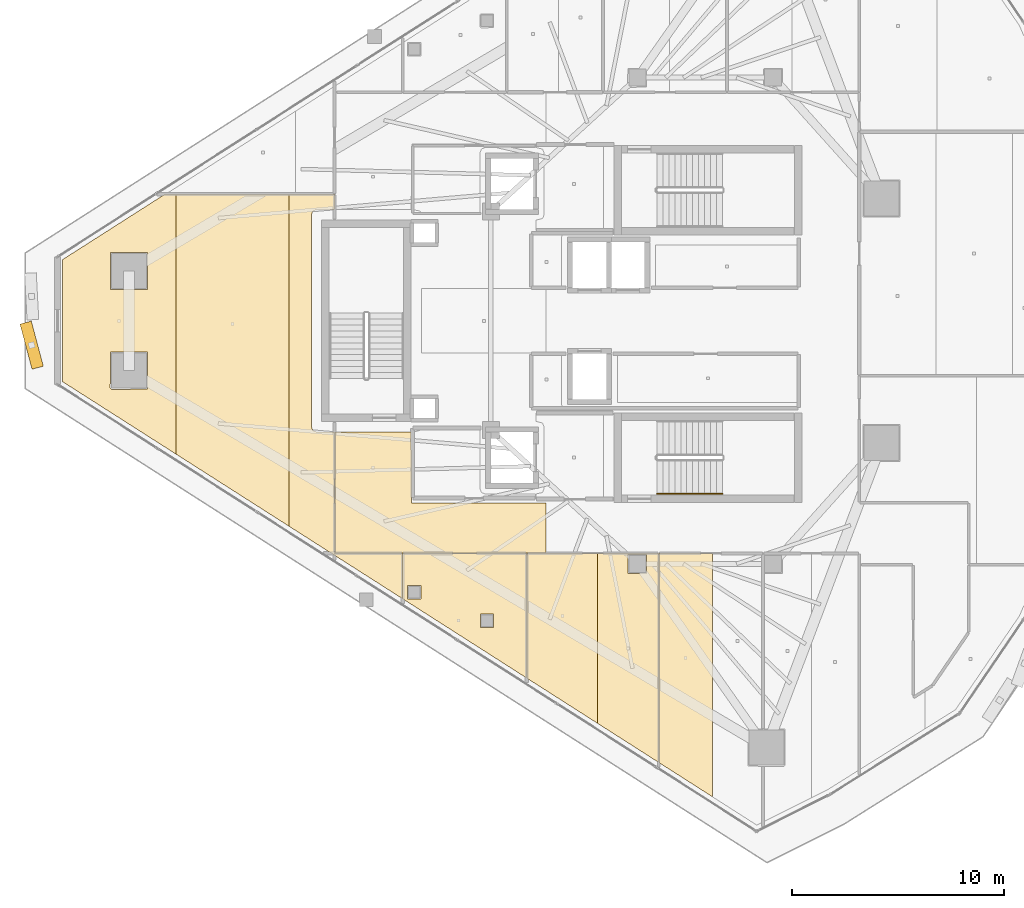
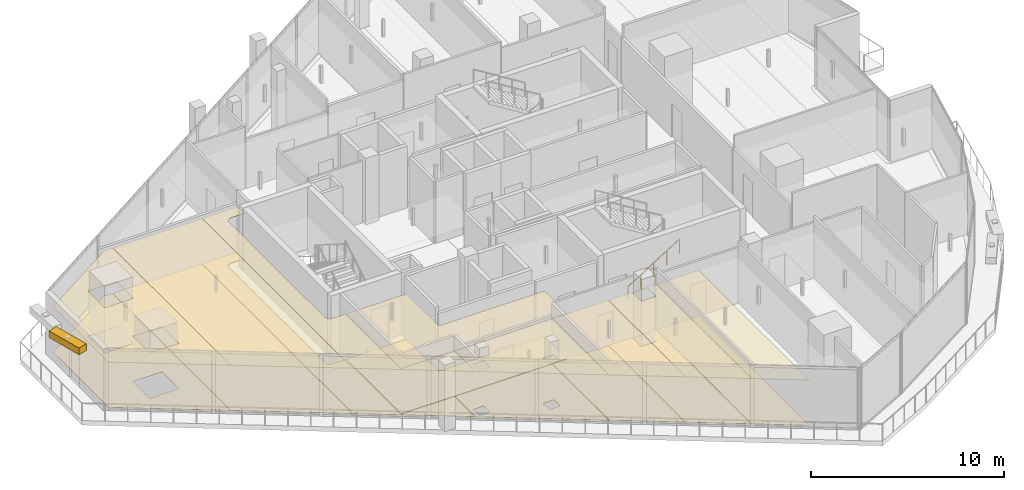
# One storey, part 31 of 36: 16 coverings, 1 railing, 1 shading device.
"""IFC4 building model written with IfcOpenShell, lengths in metres."""

import ifcopenshell
import ifcopenshell.guid

model = None  # the IFC model being written
_history = None  # IfcOwnerHistory: only IFC2X3 demands one
_inside = {}  # id of a spatial element -> (the spatial element, [elements in it])
_under = {}  # id of a project, library or spatial element -> (it, [spatial elements below it])
_declared = {}  # id of a project -> (the project, [libraries it declares])
_typed = {}  # id of a type object -> (the type object, [elements of that type])
_made_of = {}  # id of a material, layer set ... -> (it, [elements and type objects made of it])


def new_model(schema):
    """Start an empty IFC model of exactly this schema.

    Asked for "IFC4X3", IfcOpenShell would pick the latest addendum, in which some entities
    have other attributes; the version numbers below select the first issue.
    IFC2X3 requires an IfcOwnerHistory on every rooted entity: one is made here for all.
    """
    global model, _history
    if schema == "IFC4X3":
        model = ifcopenshell.file(schema_version=(4, 3, 0, 0))
    else:
        model = ifcopenshell.file(schema=schema)
    _inside.clear()
    _under.clear()
    _declared.clear()
    _typed.clear()
    _made_of.clear()
    _history = None
    if model.schema == "IFC2X3":
        org = make("IfcOrganization", Name="unknown")
        user = make(
            "IfcPersonAndOrganization",
            ThePerson=make("IfcPerson", FamilyName="unknown"),
            TheOrganization=org,
        )
        app = make(
            "IfcApplication",
            ApplicationDeveloper=org,
            Version="unknown",
            ApplicationFullName="unknown",
            ApplicationIdentifier="unknown",
        )
        _history = make(
            "IfcOwnerHistory",
            OwningUser=user,
            OwningApplication=app,
            ChangeAction="ADDED",
            CreationDate=0,
        )
    return model


def make(cls, **values):
    """One entity of the class cls with the attributes given. An attribute that is None is left unset."""
    return model.create_entity(
        cls, **{name: value for name, value in values.items() if value is not None}
    )


def rooted(cls, **values):
    """An entity with a GlobalId (a new one), such as an element, a storey or a relation."""
    return make(cls, GlobalId=ifcopenshell.guid.new(), OwnerHistory=_history, **values)


def si_unit(unit_type, name, prefix=None):
    """IfcSIUnit, for example si_unit("LENGTHUNIT", "METRE", prefix="MILLI")."""
    return make("IfcSIUnit", UnitType=unit_type, Prefix=prefix, Name=name)


def assignment(units):
    """IfcUnitAssignment: the units of a project."""
    return None if units is None else make("IfcUnitAssignment", Units=units)


def point(xyz):
    """IfcCartesianPoint."""
    return None if xyz is None else make("IfcCartesianPoint", Coordinates=xyz)


def direction(xyz):
    """IfcDirection."""
    return None if xyz is None else make("IfcDirection", DirectionRatios=xyz)


def frame(location, z_axis=None, x_axis=None):
    """IfcAxis2Placement3D, a coordinate frame: its origin and axes. An axis left out is left unset."""
    return make(
        "IfcAxis2Placement3D",
        Location=point(location),
        Axis=direction(z_axis),
        RefDirection=direction(x_axis),
    )


def frame_2d(location, x_axis=None):
    """IfcAxis2Placement2D, a coordinate frame in the plane: its origin and x axis."""
    return make(
        "IfcAxis2Placement2D", Location=point(location), RefDirection=direction(x_axis)
    )


def origin():
    """The frame at (0, 0, 0) with its axes left unset."""
    return frame((0.0, 0.0, 0.0))


def origin_2d():
    """The frame at (0, 0) in the plane with its x axis left unset."""
    return frame_2d((0.0, 0.0))


def place(relative_to, where):
    """IfcLocalPlacement: puts the frame where relative to a parent placement (None: the world)."""
    return make(
        "IfcLocalPlacement", PlacementRelTo=relative_to, RelativePlacement=where
    )


def context(
    kind, dimensions, precision=None, world=None, true_north=None, identifier=None
):
    """IfcGeometricRepresentationContext, for example the 3D "Model" context."""
    return make(
        "IfcGeometricRepresentationContext",
        ContextIdentifier=identifier,
        ContextType=kind,
        CoordinateSpaceDimension=dimensions,
        Precision=precision,
        WorldCoordinateSystem=world,
        TrueNorth=true_north,
    )


def subcontext(parent, identifier, kind, view, scale=None):
    """IfcGeometricRepresentationSubContext, for example "Body" below "Model"."""
    return make(
        "IfcGeometricRepresentationSubContext",
        ContextIdentifier=identifier,
        ContextType=kind,
        ParentContext=parent,
        TargetScale=scale,
        TargetView=view,
    )


def project(units=None, contexts=None):
    """IfcProject with its units and contexts."""
    return rooted(
        "IfcProject",
        Name="project",
        RepresentationContexts=contexts,
        UnitsInContext=assignment(units),
    )


def spatial(cls, under=None, at=None, **own):
    """A site, building, storey or space (cls), placed at a placement, below another one or the project."""
    s = rooted(cls, ObjectPlacement=at, **own)
    if under is not None:
        _under.setdefault(under.id(), (under, []))[1].append(s)
    return s


def polyline(points):
    """IfcPolyline through the points."""
    return make("IfcPolyline", Points=[point(p) for p in points])


def profile(cls, at=None, kind="AREA", **sizes):
    """A parametric profile (cls). Its sizes go by their IFC names, for example OverallWidth=200.0."""
    return make(cls, ProfileType=kind, Position=at, **sizes)


def rectangle(**sizes):
    """IfcRectangleProfileDef."""
    return profile("IfcRectangleProfileDef", **sizes)


def circle(**sizes):
    """IfcCircleProfileDef."""
    return profile("IfcCircleProfileDef", **sizes)


def outline(outer, holes=None, kind="AREA"):
    """IfcArbitraryClosedProfileDef: a profile drawn as a closed curve; with holes, ...WithVoids."""
    if holes is None:
        return make("IfcArbitraryClosedProfileDef", ProfileType=kind, OuterCurve=outer)
    return make(
        "IfcArbitraryProfileDefWithVoids",
        ProfileType=kind,
        OuterCurve=outer,
        InnerCurves=holes,
    )


def extrude(swept, where, along, depth):
    """IfcExtrudedAreaSolid: the profile swept, set in the frame where, extruded along a direction by depth."""
    return make(
        "IfcExtrudedAreaSolid",
        SweptArea=swept,
        Position=where,
        ExtrudedDirection=direction(along),
        Depth=depth,
    )


def shape(context_of_items, identifier, shape_type, items):
    """IfcShapeRepresentation: the items that make up one representation, for example the "Body"."""
    return make(
        "IfcShapeRepresentation",
        ContextOfItems=context_of_items,
        RepresentationIdentifier=identifier,
        RepresentationType=shape_type,
        Items=items,
    )


def material(Name=None, Category=None):
    """IfcMaterial."""
    return make("IfcMaterial", Name=Name, Category=Category)


def layer(
    of_material, thickness, ventilated=None, Name=None, Category=None, Priority=None
):
    """IfcMaterialLayer: one layer of a wall or slab, of a material (None: an air gap)."""
    return make(
        "IfcMaterialLayer",
        Material=of_material,
        LayerThickness=thickness,
        IsVentilated=ventilated,
        Name=Name,
        Category=Category,
        Priority=Priority,
    )


def layer_set(layers, Name=None):
    """IfcMaterialLayerSet."""
    return make("IfcMaterialLayerSet", MaterialLayers=layers, LayerSetName=Name)


def made_of(thing, what):
    """Note that an element or type object is made of a material, layer set ...; save() writes the relation."""
    if what is not None:
        _made_of.setdefault(what.id(), (what, []))[1].append(thing)
    return thing


def type_object(cls, material=None, **own):
    """A type object (cls), such as IfcWallType, which elements share."""
    return made_of(rooted(cls, **own), material)


def element(
    cls,
    number,
    at=None,
    inside=None,
    cuts=None,
    type_object=None,
    material=None,
    context=None,
    identifier="Body",
    shape_type=None,
    held_by="IfcProductDefinitionShape",
    body=None,
    shapes=None,
    **own,
):
    """One element of the class cls, such as IfcWall. Its Tag is "e" and its number.

    at: its placement. inside: the storey or other place that contains it. cuts: it is an
    opening in that element (IfcRelVoidsElement). A single representation is given by context,
    identifier, shape_type and body (its items); several are given by shapes. held_by: the class
    of the entity that holds the representations. save() writes the other relations.
    """
    e = rooted(cls, Tag="e%d" % number, ObjectPlacement=at, **own)
    if body is not None:
        shapes = [shape(context, identifier, shape_type, body)]
    if shapes is not None:
        e.Representation = make(held_by, Representations=shapes)
    if inside is not None:
        _inside.setdefault(inside.id(), (inside, []))[1].append(e)
    if cuts is not None:
        rooted(
            "IfcRelVoidsElement", RelatingBuildingElement=cuts, RelatedOpeningElement=e
        )
    if type_object is not None:
        _typed.setdefault(type_object.id(), (type_object, []))[1].append(e)
    return made_of(e, material)


def aggregate(whole, parts):
    """IfcRelAggregates: a whole, such as a stair, and the parts it consists of."""
    return rooted("IfcRelAggregates", RelatingObject=whole, RelatedObjects=parts)


def save(model, path):
    """Write the relations noted so far, then the file.

    IfcRelAggregates (storeys below a building ...), IfcRelContainedInSpatialStructure (elements
    in a storey), IfcRelDefinesByType, IfcRelAssociatesMaterial and IfcRelDeclares: one each for
    every whole, place, type object, material and project.
    """
    for whole, parts in _under.values():
        aggregate(whole, parts)
    for where, things in _inside.values():
        rooted(
            "IfcRelContainedInSpatialStructure",
            RelatedElements=things,
            RelatingStructure=where,
        )
    for kind, things in _typed.values():
        rooted("IfcRelDefinesByType", RelatedObjects=things, RelatingType=kind)
    for what, things in _made_of.values():
        rooted("IfcRelAssociatesMaterial", RelatedObjects=things, RelatingMaterial=what)
    for by, libraries in _declared.values():
        rooted("IfcRelDeclares", RelatingContext=by, RelatedDefinitions=libraries)
    model.write(path)


model = new_model("IFC4")

# Units and contexts
model_context = context("Model", 3, precision=1e-05, world=origin(), true_north=direction((0.0, 1.0)))
body_context = subcontext(model_context, "Body", "Model", "MODEL_VIEW")
ifc_project = project(units=[si_unit("LENGTHUNIT", "METRE"), si_unit("AREAUNIT", "SQUARE_METRE"), si_unit("VOLUMEUNIT", "CUBIC_METRE"), si_unit("PLANEANGLEUNIT", "RADIAN"), si_unit("MASSUNIT", "GRAM", prefix="KILO")], contexts=[model_context])

# Site, building, storey
site_placement = place(None, origin())
site = spatial("IfcSite", under=ifc_project, at=site_placement, CompositionType="ELEMENT")
building_placement = place(site_placement, origin())
building = spatial("IfcBuilding", under=site, at=building_placement, Name="Qorvath Tower", CompositionType="ELEMENT")
storey_placement = place(building_placement, frame((0.0, 0.0, 272.39990234375)))
storey = spatial("IfcBuildingStorey", under=building, at=storey_placement, Name="L63", CompositionType="ELEMENT", Elevation=272.39990234375)

# Coverings
ifc_material_1 = material(Name="Acoustic mineral fibre ceiling tile", Category="gypsum")
ifc_layer_1 = layer(ifc_material_1, 0.030029296875)
ifc_layer_set_1 = layer_set([ifc_layer_1], Name="COV-CEIL")
covering_type_1 = type_object("IfcCoveringType", Name="COV-CEIL", PredefinedType="CEILING", material=ifc_layer_set_1)
covering_1_placement = place(storey_placement, frame((0.0, 0.0, 2.85009765625)))
element("IfcCovering", 1, at=covering_1_placement, inside=storey, type_object=covering_type_1, Name="L63 Suspended Acoustic Ceiling 009", PredefinedType="CEILING", context=body_context, shape_type="SweptSolid", body=[
    extrude(outline(polyline([(-34.22509765625, -8.580078125), (-34.251220703125, -5.239990234375), (-37.844970703125, -5.239990234375), (-37.844970703125, -10.945068359375), (-27.8984375, -10.945068359375), (-27.8984375, -8.575927734375), (-34.22509765625, -8.580078125)])), origin(), (0.0, 0.0, 1.0), 0.030029296875),
])
covering_2_placement = place(storey_placement, frame((0.0, 0.0, 2.85009765625)))
element("IfcCovering", 2, at=covering_2_placement, inside=storey, type_object=covering_type_1, Name="L63 Suspended Acoustic Ceiling 019", PredefinedType="CEILING", context=body_context, shape_type="SweptSolid", body=[
    extrude(outline(polyline([(-34.64501953125, -13.09619140625), (-28.816162109375, -16.821533203125), (-28.816162109375, -10.962890625), (-34.64501953125, -10.962890625), (-34.64501953125, -13.09619140625)]), holes=[polyline([(-30.99462890625, -13.806884765625), (-30.35986328125, -13.806884765625), (-30.35986328125, -14.441650390625), (-30.99462890625, -14.441650390625), (-30.99462890625, -13.806884765625)]), polyline([(-34.421630859375, -12.47509765625), (-33.786865234375, -12.47509765625), (-33.786865234375, -13.10986328125), (-34.421630859375, -13.10986328125), (-34.421630859375, -12.47509765625)])]), origin(), (0.0, 0.0, 1.0), 0.030029296875),
])
covering_3_placement = place(storey_placement, frame((0.0, 0.0, 2.85009765625)))
element("IfcCovering", 3, at=covering_3_placement, inside=storey, type_object=covering_type_1, Name="L63 Suspended Acoustic Ceiling 020", PredefinedType="CEILING", context=body_context, shape_type="SweptSolid", body=[
    extrude(outline(polyline([(-28.798095703125, -10.962890625), (-28.798095703125, -16.833251953125), (-25.4638671875, -18.964111328125), (-25.4638671875, -10.962890625), (-28.798095703125, -10.962890625)])), origin(), (0.0, 0.0, 1.0), 0.030029296875),
])
covering_4_placement = place(storey_placement, frame((0.0, 0.0, 2.85009765625)))
element("IfcCovering", 4, at=covering_4_placement, inside=storey, type_object=covering_type_1, Name="L63 Suspended Acoustic Ceiling 021", PredefinedType="CEILING", context=body_context, shape_type="SweptSolid", body=[
    extrude(outline(polyline([(-25.4638671875, -10.962890625), (-25.4638671875, -18.964111328125), (-22.592041015625, -20.799560546875), (-22.592041015625, -10.962890625), (-25.4638671875, -10.962890625)]), holes=[polyline([(-24.04248046875, -11.892333984375), (-24.04248046875, -11.007568359375), (-23.157470703125, -11.007568359375), (-23.157470703125, -11.892333984375), (-24.04248046875, -11.892333984375)])]), origin(), (0.0, 0.0, 1.0), 0.030029296875),
])
covering_5_placement = place(storey_placement, frame((0.0, 0.0, 2.85009765625)))
element("IfcCovering", 5, at=covering_5_placement, inside=storey, type_object=covering_type_1, Name="L63 Suspended Acoustic Ceiling 022", PredefinedType="CEILING", context=body_context, shape_type="SweptSolid", body=[
    extrude(outline(polyline([(-20.063232421875, -22.416015625), (-20.063232421875, -10.962890625), (-22.573974609375, -10.962890625), (-22.573974609375, -20.81103515625), (-20.063232421875, -22.416015625)])), origin(), (0.0, 0.0, 1.0), 0.030029296875),
])
covering_6_placement = place(storey_placement, frame((0.0, 0.0, 2.85009765625)))
element("IfcCovering", 6, at=covering_6_placement, inside=storey, type_object=covering_type_1, Name="L63 Suspended Acoustic Ceiling 035", PredefinedType="CEILING", context=body_context, shape_type="SweptSolid", body=[
    extrude(outline(polyline([(-50.661865234375, 2.883056640625), (-50.671142578125, -2.8662109375), (-45.335205078125, -6.2724609375), (-45.335205078125, 5.95263671875), (-45.855224609375, 5.95263671875), (-50.661865234375, 2.883056640625)]), holes=[polyline([(-48.422607421875, -3.174560546875), (-48.405029296875, -1.482177734375), (-46.670166015625, -1.482177734375), (-46.670166015625, -3.217041015625), (-48.362548828125, -3.234619140625), (-48.422607421875, -3.174560546875)]), polyline([(-48.405029296875, 1.482177734375), (-48.405029296875, 3.217041015625), (-46.670166015625, 3.217041015625), (-46.670166015625, 1.482177734375), (-48.405029296875, 1.482177734375)])]), origin(), (0.0, 0.0, 1.0), 0.030029296875),
])
covering_7_placement = place(storey_placement, frame((0.0, 0.0, 2.85009765625)))
element("IfcCovering", 7, at=covering_7_placement, inside=storey, type_object=covering_type_1, Name="L63 Suspended Acoustic Ceiling 036", PredefinedType="CEILING", context=body_context, shape_type="SweptSolid", body=[
    extrude(outline(polyline([(-45.335205078125, 5.95263671875), (-45.335205078125, -6.2724609375), (-39.9990234375, -9.6787109375), (-39.9990234375, 5.95263671875), (-45.335205078125, 5.95263671875)])), origin(), (0.0, 0.0, 1.0), 0.030029296875),
])
covering_8_placement = place(storey_placement, frame((0.0, 0.0, 2.85009765625)))
element("IfcCovering", 8, at=covering_8_placement, inside=storey, type_object=covering_type_1, Name="L63 Suspended Acoustic Ceiling 037", PredefinedType="CEILING", context=body_context, shape_type="SweptSolid", body=[
    extrude(outline(polyline([(-39.9990234375, 5.95263671875), (-39.9990234375, -9.6787109375), (-34.6630859375, -13.084716796875), (-34.6630859375, -10.962890625), (-37.861572265625, -10.96142578125), (-37.863037109375, -5.239990234375), (-38.699951171875, -5.239990234375), (-38.876708984375, -5.166748046875), (-38.949951171875, -4.989990234375), (-38.949951171875, 4.989990234375), (-38.876708984375, 5.166748046875), (-38.699951171875, 5.239990234375), (-37.863037109375, 5.239990234375), (-37.863037109375, 5.95263671875), (-39.9990234375, 5.95263671875)])), origin(), (0.0, 0.0, 1.0), 0.030029296875),
])
ifc_material_2 = material(Name="Low-VOC modular carpet tile", Category="textile")
ifc_layer_2 = layer(ifc_material_2, 0.014892578125)
ifc_layer_set_2 = layer_set([ifc_layer_2], Name="COV-FLOOR-CPT")
covering_type_2 = type_object("IfcCoveringType", Name="COV-FLOOR-CPT", PredefinedType="FLOORING", material=ifc_layer_set_2)
covering_9_placement = place(storey_placement, origin())
element("IfcCovering", 9, at=covering_9_placement, inside=storey, type_object=covering_type_2, Name="L63 Floor Finish 019", PredefinedType="FLOORING", context=body_context, shape_type="SweptSolid", body=[
    extrude(outline(polyline([(-34.64501953125, -13.09619140625), (-28.816162109375, -16.821533203125), (-28.816162109375, -10.962890625), (-34.64501953125, -10.962890625), (-34.64501953125, -13.09619140625)]), holes=[polyline([(-30.99462890625, -13.806884765625), (-30.35986328125, -13.806884765625), (-30.35986328125, -14.441650390625), (-30.99462890625, -14.441650390625), (-30.99462890625, -13.806884765625)]), polyline([(-34.421630859375, -12.47509765625), (-33.786865234375, -12.47509765625), (-33.786865234375, -13.10986328125), (-34.421630859375, -13.10986328125), (-34.421630859375, -12.47509765625)])]), origin(), (0.0, 0.0, 1.0), 0.01513671875),
])
covering_10_placement = place(storey_placement, origin())
element("IfcCovering", 10, at=covering_10_placement, inside=storey, type_object=covering_type_2, Name="L63 Floor Finish 020", PredefinedType="FLOORING", context=body_context, shape_type="SweptSolid", body=[
    extrude(outline(polyline([(-28.798095703125, -10.962890625), (-28.798095703125, -16.833251953125), (-25.4638671875, -18.964111328125), (-25.4638671875, -10.962890625), (-28.798095703125, -10.962890625)])), origin(), (0.0, 0.0, 1.0), 0.01513671875),
])
covering_11_placement = place(storey_placement, origin())
element("IfcCovering", 11, at=covering_11_placement, inside=storey, type_object=covering_type_2, Name="L63 Floor Finish 021", PredefinedType="FLOORING", context=body_context, shape_type="SweptSolid", body=[
    extrude(outline(polyline([(-25.4638671875, -10.962890625), (-25.4638671875, -18.964111328125), (-22.592041015625, -20.799560546875), (-22.592041015625, -10.962890625), (-25.4638671875, -10.962890625)]), holes=[polyline([(-24.04248046875, -11.892333984375), (-24.04248046875, -11.007568359375), (-23.157470703125, -11.007568359375), (-23.157470703125, -11.892333984375), (-24.04248046875, -11.892333984375)])]), origin(), (0.0, 0.0, 1.0), 0.01513671875),
])
covering_12_placement = place(storey_placement, origin())
element("IfcCovering", 12, at=covering_12_placement, inside=storey, type_object=covering_type_2, Name="L63 Floor Finish 022", PredefinedType="FLOORING", context=body_context, shape_type="SweptSolid", body=[
    extrude(outline(polyline([(-20.063232421875, -22.416015625), (-20.063232421875, -10.962890625), (-22.573974609375, -10.962890625), (-22.573974609375, -20.81103515625), (-20.063232421875, -22.416015625)])), origin(), (0.0, 0.0, 1.0), 0.01513671875),
])
covering_13_placement = place(storey_placement, origin())
element("IfcCovering", 13, at=covering_13_placement, inside=storey, type_object=covering_type_2, Name="L63 Floor Finish 035", PredefinedType="FLOORING", context=body_context, shape_type="SweptSolid", body=[
    extrude(outline(polyline([(-50.661865234375, 2.883056640625), (-50.671142578125, -2.8662109375), (-45.335205078125, -6.2724609375), (-45.335205078125, 5.95263671875), (-45.855224609375, 5.95263671875), (-50.661865234375, 2.883056640625)]), holes=[polyline([(-48.422607421875, -3.174560546875), (-48.405029296875, -1.482177734375), (-46.670166015625, -1.482177734375), (-46.670166015625, -3.217041015625), (-48.362548828125, -3.234619140625), (-48.422607421875, -3.174560546875)]), polyline([(-48.405029296875, 1.482177734375), (-48.405029296875, 3.217041015625), (-46.670166015625, 3.217041015625), (-46.670166015625, 1.482177734375), (-48.405029296875, 1.482177734375)])]), origin(), (0.0, 0.0, 1.0), 0.01513671875),
])
covering_14_placement = place(storey_placement, origin())
element("IfcCovering", 14, at=covering_14_placement, inside=storey, type_object=covering_type_2, Name="L63 Floor Finish 036", PredefinedType="FLOORING", context=body_context, shape_type="SweptSolid", body=[
    extrude(outline(polyline([(-45.335205078125, 5.95263671875), (-45.335205078125, -6.2724609375), (-39.9990234375, -9.6787109375), (-39.9990234375, 5.95263671875), (-45.335205078125, 5.95263671875)])), origin(), (0.0, 0.0, 1.0), 0.01513671875),
])
covering_15_placement = place(storey_placement, origin())
element("IfcCovering", 15, at=covering_15_placement, inside=storey, type_object=covering_type_2, Name="L63 Floor Finish 037", PredefinedType="FLOORING", context=body_context, shape_type="SweptSolid", body=[
    extrude(outline(polyline([(-39.9990234375, 5.95263671875), (-39.9990234375, -9.6787109375), (-34.6630859375, -13.084716796875), (-34.6630859375, -10.962890625), (-37.861572265625, -10.96142578125), (-37.863037109375, -5.239990234375), (-38.699951171875, -5.239990234375), (-38.876708984375, -5.166748046875), (-38.949951171875, -4.989990234375), (-38.949951171875, 4.989990234375), (-38.876708984375, 5.166748046875), (-38.699951171875, 5.239990234375), (-37.863037109375, 5.239990234375), (-37.863037109375, 5.95263671875), (-39.9990234375, 5.95263671875)])), origin(), (0.0, 0.0, 1.0), 0.01513671875),
])
ifc_material_3 = material(Name="Polished epoxy terrazzo flooring", Category="concrete")
ifc_layer_3 = layer(ifc_material_3, 0.02001953125)
ifc_layer_set_3 = layer_set([ifc_layer_3], Name="COV-FLOOR-TRZ")
covering_type_3 = type_object("IfcCoveringType", Name="COV-FLOOR-TRZ", PredefinedType="FLOORING", material=ifc_layer_set_3)
covering_16_placement = place(storey_placement, origin())
element("IfcCovering", 16, at=covering_16_placement, inside=storey, type_object=covering_type_3, Name="L63 Floor Finish 009", PredefinedType="FLOORING", context=body_context, shape_type="SweptSolid", body=[
    extrude(outline(polyline([(-34.22509765625, -8.580078125), (-34.251220703125, -5.239990234375), (-37.844970703125, -5.239990234375), (-37.844970703125, -10.945068359375), (-27.8984375, -10.945068359375), (-27.8984375, -8.575927734375), (-34.22509765625, -8.580078125)])), origin(), (0.0, 0.0, 1.0), 0.01513671875),
])

# Railing
ifc_material_4 = material(Name="Brushed stainless steel AISI 304", Category="steel")
railing_type = type_object("IfcRailingType", Name="RL-STR-HND", PredefinedType="HANDRAIL", material=ifc_material_4)
railing_placement = place(storey_placement, frame((-22.669921875, -8.14990234375, 0.175048828125)))
element("IfcRailing", 17, at=railing_placement, inside=storey, type_object=railing_type, Name="L63 TS2 stair handrail 1", PredefinedType="HANDRAIL", context=body_context, shape_type="SweptSolid", body=[
    extrude(circle(Radius=0.02392578125, at=origin_2d()), frame((0.0, 0.0, 0.8759765625), z_axis=(0.847979421464, 0.0, 0.530029150871), x_axis=(0.0, 1.0, 0.0)), (0.0, 0.0, 1.0), 3.632080078125),
    extrude(circle(Radius=0.02099609375, at=origin_2d()), origin(), (0.0, 0.0, 1.0), 0.851806640625),
    extrude(circle(Radius=0.02099609375, at=origin_2d()), frame((0.77001953125, 0.0, 0.481201171875)), (0.0, 0.0, 1.0), 0.851806640625),
    extrude(circle(Radius=0.02099609375, at=origin_2d()), frame((1.5400390625, 0.0, 0.96240234375)), (0.0, 0.0, 1.0), 0.851806640625),
    extrude(circle(Radius=0.02099609375, at=origin_2d()), frame((2.309814453125, 0.0, 1.44384765625)), (0.0, 0.0, 1.0), 0.851806640625),
    extrude(circle(Radius=0.02099609375, at=origin_2d()), frame((3.079833984375, 0.0, 1.925048828125)), (0.0, 0.0, 1.0), 0.851806640625),
])

# Shading device
ifc_material_5 = material(Name="Anodised bronze-champagne aluminium", Category="aluminium")
shading_device_type = type_object("IfcShadingDeviceType", Name="SD-LOUVRE", PredefinedType="JALOUSIE", material=ifc_material_5)
shading_device_placement = place(storey_placement, frame((-52.121337890625, -1.14892578125, 3.490234375), z_axis=(0.0, 0.0, 1.0), x_axis=(0.258041780595, -0.96613375858, 0.0)))
element("IfcShadingDevice", 18, at=shading_device_placement, inside=storey, type_object=shading_device_type, Name="Sinusoidal Wave Louvre Blade L63-02", PredefinedType="NOTDEFINED", context=body_context, shape_type="SweptSolid", body=[
    extrude(rectangle(XDim=2.199951171875, YDim=0.550048828125, at=origin_2d()), origin(), (0.0, 0.0, 1.0), 0.419921875),
])

save(model, "model.ifc")
